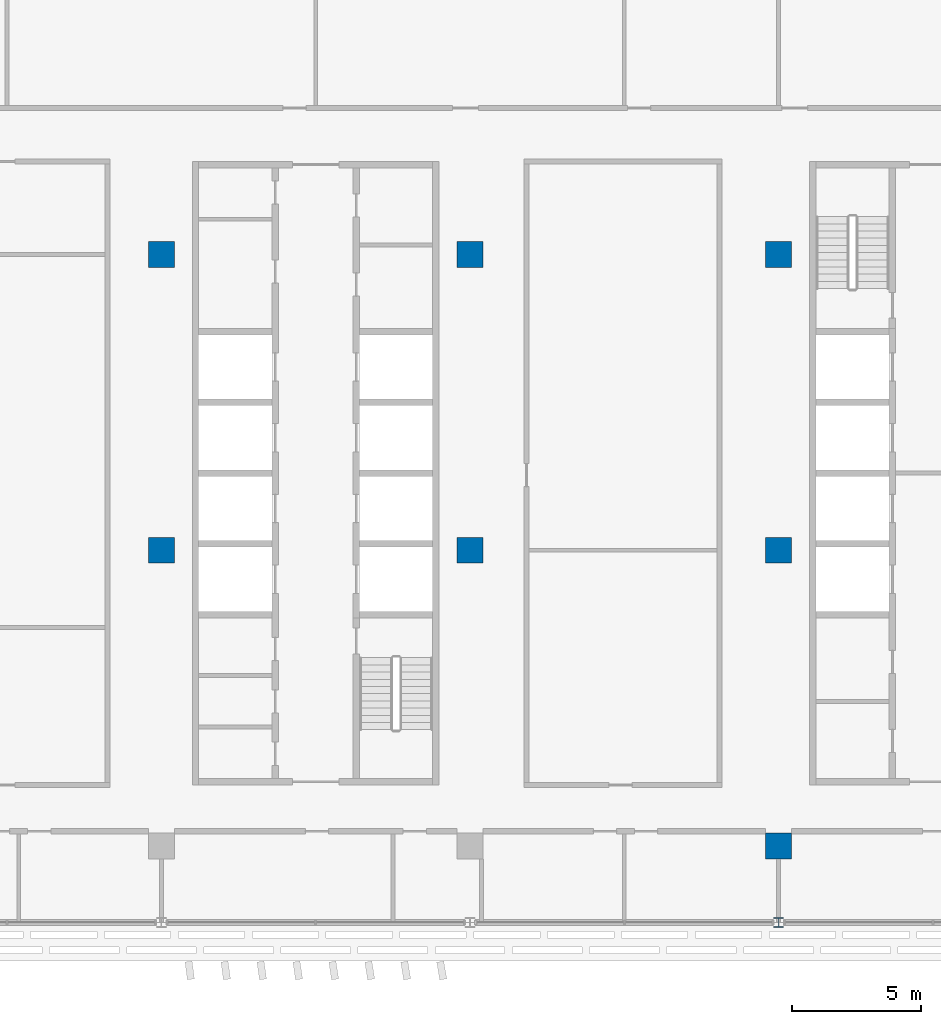
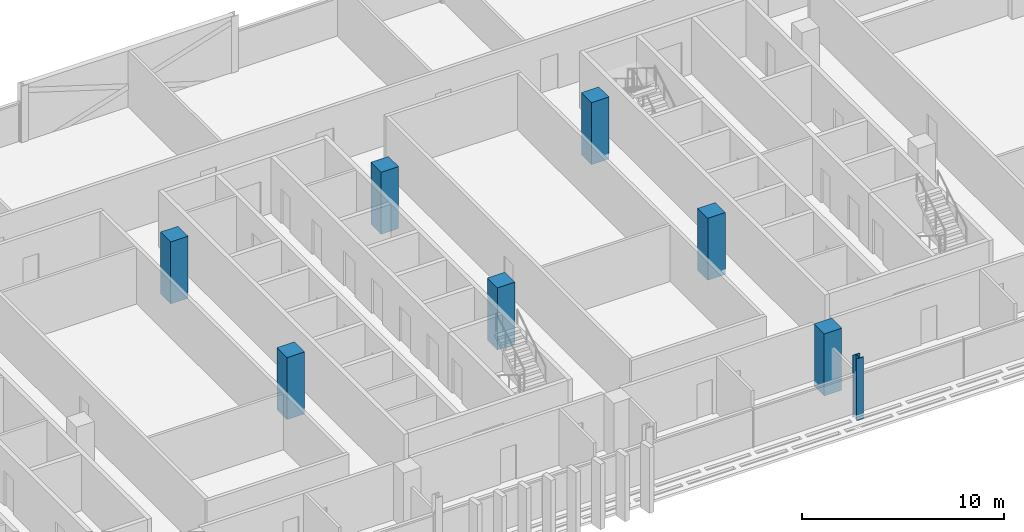
# One storey, part 2 of 33: 8 columns.
"""IFC4 building model written with IfcOpenShell, lengths in metres."""

from ifc_helpers import new_model, si_unit, direction, frame, origin, origin_2d, place, context, subcontext, project, spatial, rectangle, i_section, extrude, material, material_profile, profile_set, type_object, element, save


model = new_model("IFC4")

# Units and contexts
model_context = context("Model", 3, precision=1e-05, world=origin(), true_north=direction((0.0, 1.0)))
body_context = subcontext(model_context, "Body", "Model", "MODEL_VIEW")
ifc_project = project(units=[si_unit("LENGTHUNIT", "METRE"), si_unit("AREAUNIT", "SQUARE_METRE"), si_unit("VOLUMEUNIT", "CUBIC_METRE"), si_unit("PLANEANGLEUNIT", "RADIAN"), si_unit("MASSUNIT", "GRAM", prefix="KILO")], contexts=[model_context])

# Site, building, storey
site_placement = place(None, origin())
site = spatial("IfcSite", under=ifc_project, at=site_placement, CompositionType="ELEMENT")
building_placement = place(site_placement, origin())
building = spatial("IfcBuilding", under=site, at=building_placement, Name="Mahtab Terrace Research Tower", CompositionType="ELEMENT")
storey_placement = place(building_placement, frame((0.0, 0.0, 255.199951171875)))
storey = spatial("IfcBuildingStorey", under=building, at=storey_placement, Name="L62", CompositionType="ELEMENT", Elevation=255.199951171875)

# Columns
ifc_material_1 = material(Name="Concrete C70/85", Category="concrete")
ifc_material_profile_1 = material_profile(ifc_material_1, rectangle(XDim=1.0, YDim=1.0, at=origin_2d()), Name="RC column 1000x1000")
ifc_profile_set_1 = profile_set([ifc_material_profile_1], Name="Concrete C70/85")
column_type_1 = type_object("IfcColumnType", Name="RC column 1000x1000", PredefinedType="COLUMN", material=ifc_profile_set_1)
for number, where, z_axis, x_axis, name in (
    (1, (-6.0, 0.0, -0.33984375), (0.0, 0.0, 1.0), (1.0, 0.0, 0.0), "Column RC-4B L62"),
    (2, (-6.0, 11.5, -0.33984375), (0.0, 0.0, 1.0), (1.0, 0.0, 0.0), "Column RC-4C L62"),
    (3, (6.0, 0.0, -0.33984375), (0.0, 0.0, 1.0), (1.0, 0.0, 0.0), "Column RC-5B L62"),
    (4, (6.0, 11.5, -0.33984375), (0.0, 0.0, 1.0), (1.0, 0.0, 0.0), "Column RC-5C L62"),
    (5, (18.0, -11.5, -0.33984375), (0.0, 0.0, 1.0), (1.0, 0.0, 0.0), "Column RC-6A L62"),
    (6, (18.0, 0.0, -0.33984375), (0.0, 0.0, 1.0), (1.0, 0.0, 0.0), "Column RC-6B L62"),
    (7, (18.0, 11.5, -0.33984375), (0.0, 0.0, 1.0), (1.0, 0.0, 0.0), "Column RC-6C L62"),
):
    element("IfcColumn", number, at=place(storey_placement, frame(where, z_axis=z_axis, x_axis=x_axis)), inside=storey, type_object=column_type_1, Name=name, PredefinedType="COLUMN", context=body_context, shape_type="SweptSolid", body=[
        extrude(rectangle(XDim=1.0, YDim=1.0, at=origin_2d()), origin(), (0.0, 0.0, 1.0), 3.739990234375),
    ])
ifc_material_2 = material(Name="Steel ASTM A992 Gr 50", Category="steel")
ifc_material_profile_2 = material_profile(ifc_material_2, i_section(OverallWidth=0.398681640625, OverallDepth=0.385986328125, WebThickness=0.02099609375, FlangeThickness=0.033203125, at=origin_2d()), Name="W14X176")
ifc_profile_set_2 = profile_set([ifc_material_profile_2], Name="Steel ASTM A992 Gr 50")
column_type_2 = type_object("IfcColumnType", Name="W14x176 column CS14176", PredefinedType="COLUMN", material=ifc_profile_set_2)
column_placement = place(storey_placement, frame((18.0, -14.472900390625, -0.33984375), z_axis=(0.0, 0.0, 1.0), x_axis=(1.0, 0.0, 0.0)))
element("IfcColumn", 8, at=column_placement, inside=storey, type_object=column_type_2, Name="Column SC-066 L62", PredefinedType="COLUMN", context=body_context, shape_type="SweptSolid", body=[
    extrude(i_section(OverallWidth=0.398681640625, OverallDepth=0.385986328125, WebThickness=0.02099609375, FlangeThickness=0.033203125, at=origin_2d()), origin(), (0.0, 0.0, 1.0), 3.739990234375),
])

save(model, "model.ifc")
